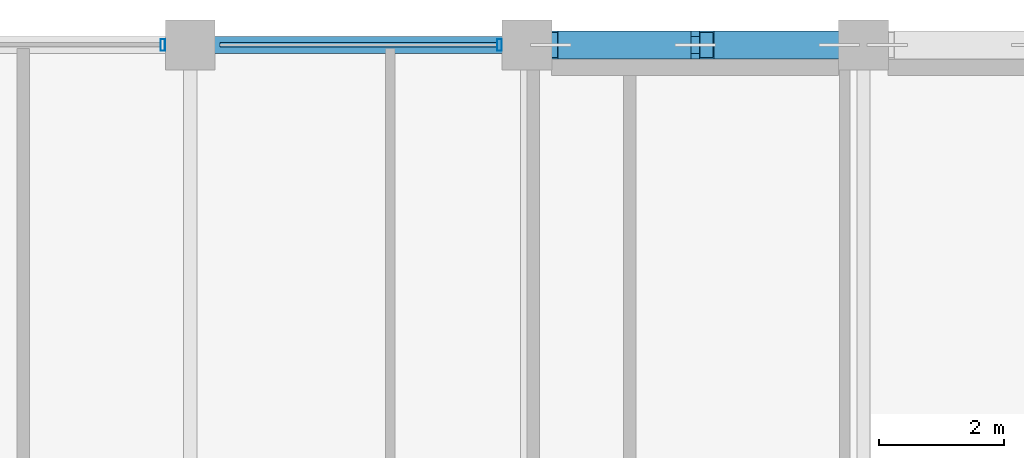
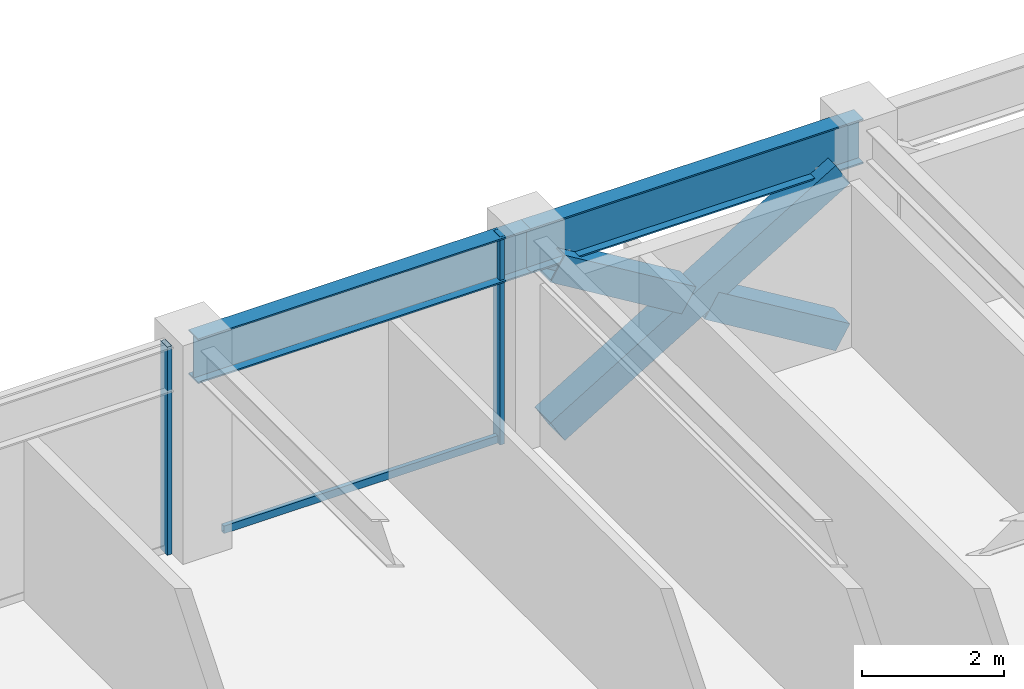
# One storey, part 17 of 28: 6 members, 2 beams, 1 element without a shape of its own.
"""IFC4 building model written with IfcOpenShell, lengths in metres."""

from ifc_helpers import new_model, si_unit, direction, frame, origin, origin_2d, place, context, subcontext, project, spatial, hollow_rectangle, i_section, extrude, material, layer, layer_set, material_profile, profile_set, type_object, element, aggregate, save


model = new_model("IFC4")

# Units and contexts
model_context = context("Model", 3, precision=1e-05, world=origin(), true_north=direction((0.0, 1.0)))
body_context = subcontext(model_context, "Body", "Model", "MODEL_VIEW")
ifc_project = project(units=[si_unit("LENGTHUNIT", "METRE"), si_unit("AREAUNIT", "SQUARE_METRE"), si_unit("VOLUMEUNIT", "CUBIC_METRE"), si_unit("PLANEANGLEUNIT", "RADIAN"), si_unit("MASSUNIT", "GRAM", prefix="KILO")], contexts=[model_context])

# Site, building, storey
site_placement = place(None, origin())
site = spatial("IfcSite", under=ifc_project, at=site_placement, CompositionType="ELEMENT")
building_placement = place(site_placement, origin())
building = spatial("IfcBuilding", under=site, at=building_placement, Name="Surkhivell Harbour Commons", CompositionType="ELEMENT")
storey_placement = place(building_placement, frame((0.0, 0.0, 238.5)))
storey = spatial("IfcBuildingStorey", under=building, at=storey_placement, Name="L62", CompositionType="ELEMENT", Elevation=238.5)

# Beams
ifc_material_1 = material(Name="Steel S355", Category="steel")
ifc_material_profile_1 = material_profile(ifc_material_1, i_section(OverallWidth=0.26806640625, OverallDepth=0.77001953125, WebThickness=0.015625, FlangeThickness=0.025390625, at=origin_2d()), Name="UB762x267x197")
ifc_profile_set_1 = profile_set([ifc_material_profile_1], Name="Steel S355")
beam_type = type_object("IfcBeamType", Name="BM-SPN-762", PredefinedType="SPANDREL", material=ifc_profile_set_1)
beam_1_placement = place(storey_placement, frame((-10.800048828125, 25.89990234375, 3.18505859375), z_axis=(1.0, 0.0, 0.0), x_axis=(0.0, 1.0, 0.0)))
element("IfcBeam", 1, at=beam_1_placement, inside=storey, type_object=beam_type, Name="L62 Tube Spandrel (-10.8,25.9)", PredefinedType="SPANDREL", context=body_context, shape_type="SweptSolid", body=[
    extrude(i_section(OverallWidth=0.26806640625, OverallDepth=0.77001953125, WebThickness=0.015625, FlangeThickness=0.025390625, at=origin_2d()), origin(), (0.0, 0.0, 1.0), 5.400146484375),
])
beam_2_placement = place(storey_placement, frame((-5.39990234375, 25.89990234375, 3.18505859375), z_axis=(1.0, 0.0, 0.0), x_axis=(0.0, 1.0, 0.0)))
element("IfcBeam", 2, at=beam_2_placement, inside=storey, type_object=beam_type, Name="L62 Tube Spandrel (-5.4,25.9)", PredefinedType="SPANDREL", context=body_context, shape_type="SweptSolid", body=[
    extrude(i_section(OverallWidth=0.26806640625, OverallDepth=0.77001953125, WebThickness=0.015625, FlangeThickness=0.025390625, at=origin_2d()), origin(), (0.0, 0.0, 1.0), 5.39990234375),
])

# Curtain wall, members
ifc_material_2 = material(Name="Anodised pale-metal aluminium and insulated glazing", Category="aluminium")
ifc_layer = layer(ifc_material_2, 0.18994140625)
ifc_layer_set = layer_set([ifc_layer], Name="Anodised pale-metal aluminium and insulated glazing")
curtain_wall_type = type_object("IfcCurtainWallType", Name="CW-SYS-Z3", PredefinedType="NOTDEFINED", material=ifc_layer_set)
curtain_wall_placement = place(storey_placement, origin())
curtain_wall = element("IfcCurtainWall", 3, at=curtain_wall_placement, inside=storey, type_object=curtain_wall_type, Name="L62 Curtain Wall CW-L62-E07S2", PredefinedType="NOTDEFINED")
ifc_material_3 = material(Name="Anodised pale-metal aluminium alloy 6063-T6", Category="aluminium")
ifc_material_profile_2 = material_profile(ifc_material_3, hollow_rectangle(XDim=0.074951171875, YDim=0.18994140625, WallThickness=0.00390625, at=origin_2d()), Name="ALU-MULL-75x190")
ifc_profile_set_2 = profile_set([ifc_material_profile_2], Name="Anodised pale-metal aluminium alloy 6063-T6")
member_type_1 = type_object("IfcMemberType", Name="CWM-190", PredefinedType="MULLION", material=ifc_profile_set_2)
member_1_placement = place(storey_placement, frame((-5.839599609375, 25.89990234375, 0.0), z_axis=(0.0, 0.0, 1.0), x_axis=(-1.0, 0.0, 0.0)))
member_1 = element("IfcMember", 4, at=member_1_placement, type_object=member_type_1, Name="CW-Z3 mullion 1", PredefinedType="MULLION", context=body_context, shape_type="SweptSolid", body=[
    extrude(hollow_rectangle(XDim=0.074951171875, YDim=0.18994140625, WallThickness=0.00390625, at=origin_2d()), origin(), (0.0, 0.0, 1.0), 3.570068359375),
])
member_2_placement = place(storey_placement, frame((-11.239501953125, 25.89990234375, 0.0), z_axis=(0.0, 0.0, 1.0), x_axis=(-1.0, 0.0, 0.0)))
member_2 = element("IfcMember", 5, at=member_2_placement, type_object=member_type_1, Name="CW-Z3 mullion 2", PredefinedType="MULLION", context=body_context, shape_type="SweptSolid", body=[
    extrude(hollow_rectangle(XDim=0.074951171875, YDim=0.18994140625, WallThickness=0.00390625, at=origin_2d()), origin(), (0.0, 0.0, 1.0), 3.570068359375),
])
ifc_material_4 = material(Name="Champagne anodised aluminium alloy 6063-T6", Category="aluminium")
ifc_material_profile_3 = material_profile(ifc_material_4, hollow_rectangle(XDim=0.070068359375, YDim=0.1298828125, WallThickness=0.00341796875, at=origin_2d()), Name="ALU-TRAN-70x130")
ifc_profile_set_3 = profile_set([ifc_material_profile_3], Name="Champagne anodised aluminium alloy 6063-T6")
member_type_2 = type_object("IfcMemberType", Name="CWT-130", PredefinedType="USERDEFINED", material=ifc_profile_set_3)
member_3_placement = place(storey_placement, frame((-5.876953125, 25.89990234375, 0.06494140625), z_axis=(-1.0, 0.0, 0.0), x_axis=(0.0, -1.0, 0.0)))
member_3 = element("IfcMember", 6, at=member_3_placement, type_object=member_type_2, Name="CW-Z3 transom 1.1", ObjectType="TRANSOM", PredefinedType="USERDEFINED", context=body_context, shape_type="SweptSolid", body=[
    extrude(hollow_rectangle(XDim=0.070068359375, YDim=0.1298828125, WallThickness=0.00341796875, at=origin_2d()), origin(), (0.0, 0.0, 1.0), 4.446044921875),
])
aggregate(curtain_wall, [member_1, member_3, member_2])

# Members
ifc_material_5 = material(Name="Steel S460", Category="steel")
ifc_material_profile_4 = material_profile(ifc_material_5, hollow_rectangle(XDim=0.449951171875, YDim=0.449951171875, WallThickness=0.02197265625, at=origin_2d()), Name="SHS450x450x22")
ifc_profile_set_4 = profile_set([ifc_material_profile_4], Name="Steel S460")
member_type_3 = type_object("IfcMemberType", Name="MEM-BRC-SHS450", PredefinedType="BRACE", material=ifc_profile_set_4)
member_4_placement = place(storey_placement, frame((-5.014892578125, 25.89990234375, 0.008056640625), z_axis=(0.856023742961, 0.0, 0.516936506243), x_axis=(0.0, 1.0, 0.0)))
element("IfcMember", 7, at=member_4_placement, inside=storey, type_object=member_type_3, Name="L62 Perimeter Mega-Brace MB- 01", PredefinedType="BRACE", context=body_context, shape_type="SweptSolid", body=[
    extrude(hollow_rectangle(XDim=0.449951171875, YDim=0.449951171875, WallThickness=0.02197265625, at=origin_2d()), origin(), (0.0, 0.0, 1.0), 5.40869140625),
])
for number, where, z_axis, x_axis, name in (
    (8, (-0.385009765625, 25.89990234375, 0.008056640625), (-0.856061168755, 0.0, 0.516874525731), (0.0, -1.0, 0.0), "L62 Perimeter Mega-Brace MB- 02"),
    (9, (-2.885009765625, 25.89990234375, 1.517578125), (-0.855991532151, 0.0, 0.516989842149), (0.0, -1.0, 0.0), "L62 Perimeter Mega-Brace MB- 03"),
):
    element("IfcMember", number, at=place(storey_placement, frame(where, z_axis=z_axis, x_axis=x_axis)), inside=storey, type_object=member_type_3, Name=name, PredefinedType="BRACE", context=body_context, shape_type="SweptSolid", body=[
        extrude(hollow_rectangle(XDim=0.449951171875, YDim=0.449951171875, WallThickness=0.02197265625, at=origin_2d()), origin(), (0.0, 0.0, 1.0), 2.48828125),
    ])

save(model, "model.ifc")
